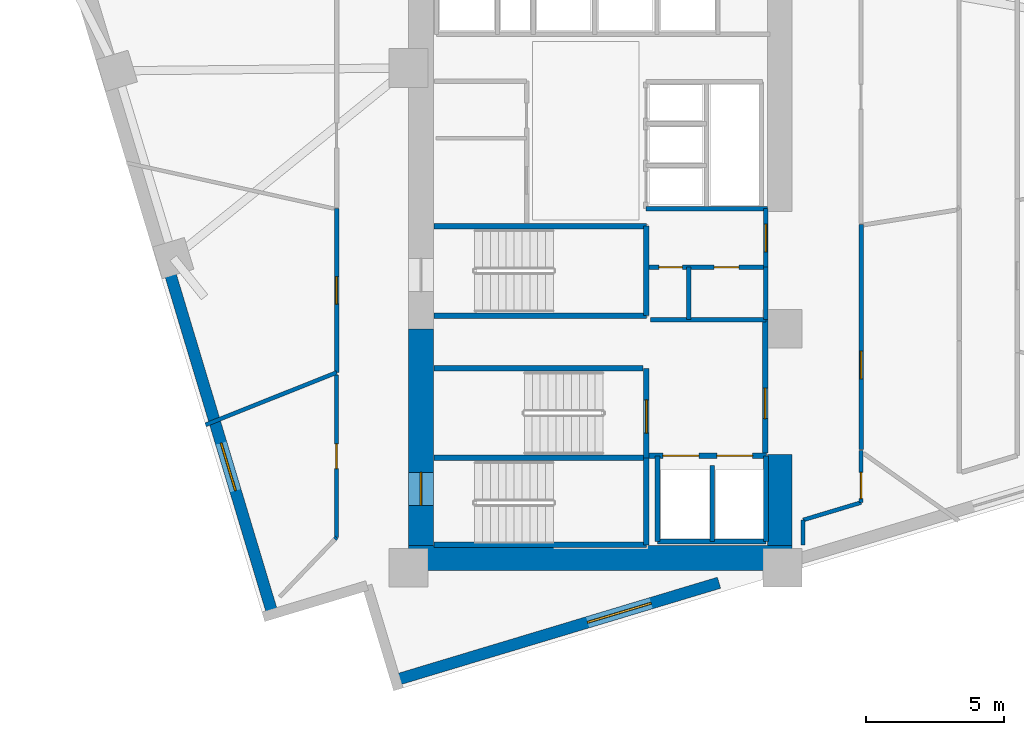
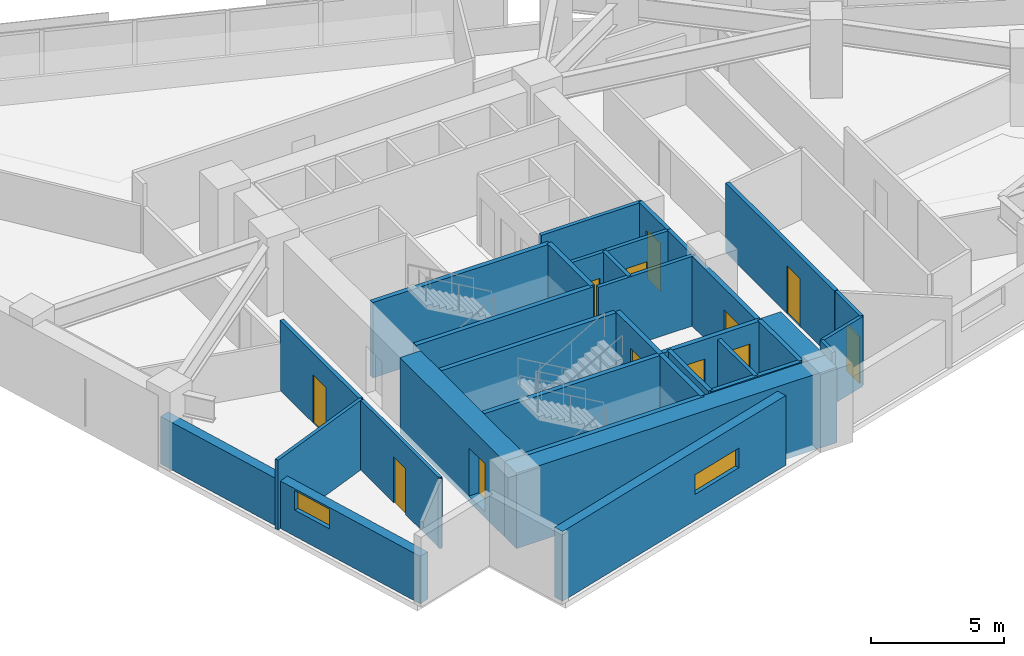
# One storey, part 9 of 14: 33 walls, 12 doors, 2 windows, 14 openings.
"""IFC4 building model written with IfcOpenShell, lengths in metres."""

from ifc_helpers import new_model, si_unit, direction, frame, frame_2d, origin, place, context, subcontext, project, spatial, rectangle, extrude, material, layer, layer_set, type_object, element, fill, save


model = new_model("IFC4")

# Units and contexts
model_context = context("Model", 3, precision=1e-05, world=origin(), true_north=direction((0.0, 1.0)))
body_context = subcontext(model_context, "Body", "Model", "MODEL_VIEW")
ifc_project = project(units=[si_unit("LENGTHUNIT", "METRE"), si_unit("AREAUNIT", "SQUARE_METRE"), si_unit("VOLUMEUNIT", "CUBIC_METRE"), si_unit("PLANEANGLEUNIT", "RADIAN"), si_unit("MASSUNIT", "GRAM", prefix="KILO")], contexts=[model_context])

# Site, building, storey
site_placement = place(None, origin())
site = spatial("IfcSite", under=ifc_project, at=site_placement, CompositionType="ELEMENT")
building_placement = place(site_placement, origin())
building = spatial("IfcBuilding", under=site, at=building_placement, Name="Narakoshi Arena Tower", CompositionType="ELEMENT")
storey_placement = place(building_placement, frame((0.0, 0.0, 161.10009765625)))
storey = spatial("IfcBuildingStorey", under=building, at=storey_placement, Name="L43", CompositionType="ELEMENT", Elevation=161.10009765625)

# Wall, opening, door
ifc_material_1 = material(Name="Concrete C60/75", Category="concrete")
ifc_layer_1 = layer(ifc_material_1, 0.89990234375)
ifc_layer_set_1 = layer_set([ifc_layer_1], Name="Concrete C60/75")
wall_type_1 = type_object("IfcWallType", Name="WL-CORE-900", PredefinedType="SHEAR", material=ifc_layer_set_1)
wall_1_placement = place(storey_placement, frame((72.449951171875, 35.5, -0.260009765625), z_axis=(0.0, 0.0, 1.0), x_axis=(0.0, 1.0, 0.0)))
wall_1 = element("IfcWall", 1, at=wall_1_placement, inside=storey, type_object=wall_type_1, Name="L43 Central Core Shear Wall CW-APX-W", PredefinedType="SHEAR", context=body_context, shape_type="SweptSolid", body=[
    extrude(rectangle(XDim=7.85009765625, YDim=0.89990234375, at=frame_2d((3.925048828125, 0.0))), origin(), (0.0, 0.0, 1.0), 3.4599609375),
])
opening_1_placement = place(wall_1_placement, frame((1.449951171875, 0.0, 0.260009765625)))
opening_1 = element("IfcOpeningElement", 2, at=opening_1_placement, cuts=wall_1, Name="Opening D-03", PredefinedType="OPENING", context=body_context, shape_type="SweptSolid", body=[
    extrude(rectangle(XDim=1.199951171875, YDim=2.199951171875, at=frame_2d((0.60009765625, 1.10009765625))), frame((0.0, 0.4599609375, 0.0), z_axis=(0.0, -1.0, 0.0), x_axis=(1.0, 0.0, 0.0)), (0.0, 0.0, 1.0), 0.919921875),
])
ifc_material_2 = material(Name="Painted galvanized steel", Category="steel")
door_type_1 = type_object("IfcDoorType", Name="DR-STR-1200", OperationType="NOTDEFINED", PredefinedType="USERDEFINED", material=ifc_material_2)
door_1_placement = place(opening_1_placement, frame((1.199951171875, 0.0, 0.0), z_axis=(0.0, 0.0, 1.0), x_axis=(-1.0, 0.0, 0.0)))
door_1 = element("IfcDoor", 3, at=door_1_placement, inside=storey, type_object=door_type_1, Name="DR-L43-001", ObjectType="EXITDOOR", OperationType="SINGLE_SWING_LEFT", OverallHeight=2.199951171875, OverallWidth=1.199951171875, PredefinedType="USERDEFINED", context=body_context, shape_type="SweptSolid", body=[
    extrude(rectangle(XDim=1.199951171875, YDim=2.199951171875, at=frame_2d((0.60009765625, 1.10009765625))), frame((0.0, 0.02490234375, 0.0), z_axis=(0.0, -1.0, 0.0), x_axis=(1.0, 0.0, 0.0)), (0.0, 0.0, 1.0), 0.050048828125),
])
fill(opening_1, door_1)

# Walls
wall_2_placement = place(storey_placement, frame((72.0, 35.050048828125, -0.260009765625), z_axis=(0.0, 0.0, 1.0), x_axis=(1.0, 0.0, 0.0)))
element("IfcWall", 4, at=wall_2_placement, inside=storey, type_object=wall_type_1, Name="L43 Central Core Shear Wall CW-APX-S", PredefinedType="SHEAR", context=body_context, shape_type="SweptSolid", body=[
    extrude(rectangle(XDim=13.89990234375, YDim=0.89990234375, at=frame_2d((6.949951171875, 0.0))), origin(), (0.0, 0.0, 1.0), 3.4599609375),
])
wall_3_placement = place(storey_placement, frame((85.449951171875, 35.5, -0.260009765625), z_axis=(0.0, 0.0, 1.0), x_axis=(0.0, 1.0, 0.0)))
element("IfcWall", 5, at=wall_3_placement, inside=storey, type_object=wall_type_1, Name="L43 Central Core Shear Wall CW-APX-E", PredefinedType="SHEAR", context=body_context, shape_type="SweptSolid", body=[
    extrude(rectangle(XDim=3.300048828125, YDim=0.89990234375, at=frame_2d((1.64990234375, 0.0))), origin(), (0.0, 0.0, 1.0), 3.4599609375),
])

# Wall, opening, door
ifc_material_3 = material(Name="Gypsum plasterboard fire-rated partition")
ifc_layer_2 = layer(ifc_material_3, 0.1650390625)
ifc_layer_set_2 = layer_set([ifc_layer_2], Name="Gypsum plasterboard fire-rated partition")
wall_type_2 = type_object("IfcWallType", Name="WL-CORR-165", PredefinedType="PARTITIONING", material=ifc_layer_set_2)
wall_4_placement = place(storey_placement, frame((84.949951171875, 45.580078125, 0.0), z_axis=(0.0, 0.0, 1.0), x_axis=(0.0, 1.0, 0.0)))
wall_4 = element("IfcWall", 6, at=wall_4_placement, inside=storey, type_object=wall_type_2, Name="L43 Core Wall CPAS-E", PredefinedType="PARTITIONING", context=body_context, shape_type="SweptSolid", body=[
    extrude(rectangle(XDim=2.119873046875, YDim=0.1650390625, at=frame_2d((1.06005859375, 0.0))), origin(), (0.0, 0.0, 1.0), 3.199951171875),
])
opening_2_placement = place(wall_4_placement, frame((0.56005859375, 0.0, 0.0)))
opening_2 = element("IfcOpeningElement", 7, at=opening_2_placement, cuts=wall_4, Name="Opening D-06", PredefinedType="OPENING", context=body_context, shape_type="SweptSolid", body=[
    extrude(rectangle(XDim=1.0, YDim=2.199951171875, at=frame_2d((0.5, 1.10009765625))), frame((0.0, 0.092529296875, 0.0), z_axis=(0.0, -1.0, 0.0), x_axis=(1.0, 0.0, 0.0)), (0.0, 0.0, 1.0), 0.18505859375),
])
ifc_material_4 = material(Name="Stained oak solid-core timber", Category="wood")
door_type_2 = type_object("IfcDoorType", Name="DR-OFF-1000", OperationType="NOTDEFINED", PredefinedType="DOOR", material=ifc_material_4)
door_2_placement = place(opening_2_placement, frame((1.0, 0.0, 0.0), z_axis=(0.0, 0.0, 1.0), x_axis=(-1.0, 0.0, 0.0)))
door_2 = element("IfcDoor", 8, at=door_2_placement, inside=storey, type_object=door_type_2, Name="DR-L43-007", OperationType="SINGLE_SWING_LEFT", OverallHeight=2.199951171875, OverallWidth=1.0, PredefinedType="DOOR", context=body_context, shape_type="SweptSolid", body=[
    extrude(rectangle(XDim=1.0, YDim=2.199951171875, at=frame_2d((0.5, 1.10009765625))), frame((0.0, 0.02490234375, 0.0), z_axis=(0.0, -1.0, 0.0), x_axis=(1.0, 0.0, 0.0)), (0.0, 0.0, 1.0), 0.050048828125),
])
fill(opening_2, door_2)

wall_5_placement = place(storey_placement, frame((69.39990234375, 47.71728515625, 0.0), z_axis=(0.0, 0.0, 1.0), x_axis=(0.0, -1.0, 0.0)))
wall_5 = element("IfcWall", 9, at=wall_5_placement, inside=storey, type_object=wall_type_2, Name="L43 Corridor Partition 01-1", PredefinedType="PARTITIONING", context=body_context, shape_type="SweptSolid", body=[
    extrude(rectangle(XDim=5.94921875, YDim=0.1650390625, at=frame_2d((2.974609375, 0.0))), origin(), (0.0, 0.0, 1.0), 3.199951171875),
])
opening_3_placement = place(wall_5_placement, frame((2.474609375, 0.0, 0.0)))
opening_3 = element("IfcOpeningElement", 10, at=opening_3_placement, cuts=wall_5, Name="Opening D-06", PredefinedType="OPENING", context=body_context, shape_type="SweptSolid", body=[
    extrude(rectangle(XDim=1.0, YDim=2.199951171875, at=frame_2d((0.5, 1.10009765625))), frame((0.0, 0.092529296875, 0.0), z_axis=(0.0, -1.0, 0.0), x_axis=(1.0, 0.0, 0.0)), (0.0, 0.0, 1.0), 0.18505859375),
])
door_3_placement = place(opening_3_placement, frame((1.0, 0.0, 0.0), z_axis=(0.0, 0.0, 1.0), x_axis=(-1.0, 0.0, 0.0)))
door_3 = element("IfcDoor", 11, at=door_3_placement, inside=storey, type_object=door_type_2, Name="DR-L43-015", OperationType="SINGLE_SWING_LEFT", OverallHeight=2.199951171875, OverallWidth=1.0, PredefinedType="DOOR", context=body_context, shape_type="SweptSolid", body=[
    extrude(rectangle(XDim=1.0, YDim=2.199951171875, at=frame_2d((0.5, 1.10009765625))), frame((0.0, 0.02490234375, 0.0), z_axis=(0.0, -1.0, 0.0), x_axis=(1.0, 0.0, 0.0)), (0.0, 0.0, 1.0), 0.050048828125),
])
fill(opening_3, door_3)

wall_6_placement = place(storey_placement, frame((88.39990234375, 38.972412109375, 0.0), z_axis=(0.0, 0.0, 1.0), x_axis=(0.0, 1.0, 0.0)))
wall_6 = element("IfcWall", 12, at=wall_6_placement, inside=storey, type_object=wall_type_2, Name="L43 Corridor Partition 05-1", PredefinedType="PARTITIONING", context=body_context, shape_type="SweptSolid", body=[
    extrude(rectangle(XDim=8.16162109375, YDim=0.1650390625, at=frame_2d((4.080810546875, 0.0))), origin(), (0.0, 0.0, 1.0), 3.199951171875),
])
opening_4_placement = place(wall_6_placement, frame((2.566650390625, 0.0, 0.0)))
opening_4 = element("IfcOpeningElement", 13, at=opening_4_placement, cuts=wall_6, Name="Opening D-06", PredefinedType="OPENING", context=body_context, shape_type="SweptSolid", body=[
    extrude(rectangle(XDim=1.0, YDim=2.199951171875, at=frame_2d((0.5, 1.10009765625))), frame((0.0, 0.092529296875, 0.0), z_axis=(0.0, -1.0, 0.0), x_axis=(1.0, 0.0, 0.0)), (0.0, 0.0, 1.0), 0.18505859375),
])
door_4_placement = place(opening_4_placement, frame((1.0, 0.0, 0.0), z_axis=(0.0, 0.0, 1.0), x_axis=(-1.0, 0.0, 0.0)))
door_4 = element("IfcDoor", 14, at=door_4_placement, inside=storey, type_object=door_type_2, Name="DR-L43-019", OperationType="SINGLE_SWING_LEFT", OverallHeight=2.199951171875, OverallWidth=1.0, PredefinedType="DOOR", context=body_context, shape_type="SweptSolid", body=[
    extrude(rectangle(XDim=1.0, YDim=2.199951171875, at=frame_2d((0.5, 1.10009765625))), frame((0.0, 0.02490234375, 0.0), z_axis=(0.0, -1.0, 0.0), x_axis=(1.0, 0.0, 0.0)), (0.0, 0.0, 1.0), 0.050048828125),
])
fill(opening_4, door_4)

# Wall, opening, window
ifc_material_5 = material(Name="Precast concrete C45/55", Category="concrete")
ifc_layer_3 = layer(ifc_material_5, 0.419921875)
ifc_layer_set_3 = layer_set([ifc_layer_3], Name="Precast concrete C45/55")
wall_type_3 = type_object("IfcWallType", Name="WL-POD-420", PredefinedType="SOLIDWALL", material=ifc_layer_set_3)
wall_7_placement = place(storey_placement, frame((71.53466796875, 30.62353515625, 0.0), z_axis=(0.0, 0.0, 1.0), x_axis=(0.957571099539, 0.288197136226, 0.0)))
wall_7 = element("IfcWall", 15, at=wall_7_placement, inside=storey, type_object=wall_type_3, Name="L43 Architectural Concrete Facade Wall LEGA-1", PredefinedType="SOLIDWALL", context=body_context, shape_type="SweptSolid", body=[
    extrude(rectangle(XDim=12.23583984375, YDim=0.419921875, at=frame_2d((6.117919921875, 0.0))), origin(), (0.0, 0.0, 1.0), 3.199951171875),
])
opening_5_placement = place(wall_7_placement, frame((7.263916015625, 0.0, 1.199951171875)))
opening_5 = element("IfcOpeningElement", 16, at=opening_5_placement, cuts=wall_7, Name="Opening WN-01", PredefinedType="OPENING", context=body_context, shape_type="SweptSolid", body=[
    extrude(rectangle(XDim=2.39990234375, YDim=0.89990234375, at=frame_2d((1.199951171875, 0.449951171875))), frame((0.0, 0.219970703125, 0.0), z_axis=(0.0, -1.0, 0.0), x_axis=(1.0, 0.0, 0.0)), (0.0, 0.0, 1.0), 0.43994140625),
])
ifc_material_6 = material(Name="Bronze-tinted low-E laminated glass", Category="glass")
window_type_1 = type_object("IfcWindowType", Name="WIN-SLT-24x09", PartitioningType="SINGLE_PANEL", PredefinedType="WINDOW", material=ifc_material_6)
window_1_placement = place(opening_5_placement, origin())
window_1 = element("IfcWindow", 17, at=window_1_placement, inside=storey, type_object=window_type_1, Name="L43 LEGA1 Horizontal Slot Window 1", OverallHeight=0.89990234375, OverallWidth=2.39990234375, PartitioningType="SINGLE_PANEL", PredefinedType="WINDOW", context=body_context, shape_type="SweptSolid", body=[
    extrude(rectangle(XDim=2.39990234375, YDim=0.89990234375, at=frame_2d((1.199951171875, 0.449951171875))), frame((0.0, 0.030029296875, 0.0), z_axis=(0.0, -1.0, 0.0), x_axis=(1.0, 0.0, 0.0)), (0.0, 0.0, 1.0), 0.06005859375),
])
fill(opening_5, window_1)

wall_8_placement = place(storey_placement, frame((63.221435546875, 45.833740234375, 0.0), z_axis=(0.0, 0.0, 1.0), x_axis=(0.288202962273, -0.957569346072, 0.0)))
wall_8 = element("IfcWall", 18, at=wall_8_placement, inside=storey, type_object=wall_type_3, Name="L43 Architectural Concrete Facade Wall LEGB-3", PredefinedType="SOLIDWALL", context=body_context, shape_type="SweptSolid", body=[
    extrude(rectangle(XDim=13.383544921875, YDim=0.419921875, at=frame_2d((6.69189453125, 0.0))), origin(), (0.0, 0.0, 1.0), 2.177001953125),
])
opening_6_placement = place(wall_8_placement, frame((6.91650390625, 0.0, 1.197021484375)))
opening_6 = element("IfcOpeningElement", 19, at=opening_6_placement, cuts=wall_8, Name="Opening WN-02", PredefinedType="OPENING", context=body_context, shape_type="SweptSolid", body=[
    extrude(rectangle(XDim=1.800048828125, YDim=0.89990234375, at=frame_2d((0.89990234375, 0.449951171875))), frame((0.0, 0.219970703125, 0.0), z_axis=(0.0, -1.0, 0.0), x_axis=(1.0, 0.0, 0.0)), (0.0, 0.0, 1.0), 0.43994140625),
])
window_type_2 = type_object("IfcWindowType", Name="WIN-SLT-18x09", PartitioningType="SINGLE_PANEL", PredefinedType="WINDOW", material=ifc_material_6)
window_2_placement = place(opening_6_placement, origin())
window_2 = element("IfcWindow", 20, at=window_2_placement, inside=storey, type_object=window_type_2, Name="L43 LEGB3 Horizontal Slot Window 1", OverallHeight=0.89990234375, OverallWidth=1.800048828125, PartitioningType="SINGLE_PANEL", PredefinedType="WINDOW", context=body_context, shape_type="SweptSolid", body=[
    extrude(rectangle(XDim=1.800048828125, YDim=0.89990234375, at=frame_2d((0.89990234375, 0.449951171875))), frame((0.0, 0.030029296875, 0.0), z_axis=(0.0, -1.0, 0.0), x_axis=(1.0, 0.0, 0.0)), (0.0, 0.0, 1.0), 0.06005859375),
])
fill(opening_6, window_2)

# Walls
ifc_material_7 = material(Name="Concrete C40/50", Category="concrete")
ifc_layer_4 = layer(ifc_material_7, 0.280029296875)
ifc_layer_set_4 = layer_set([ifc_layer_4], Name="Concrete C40/50")
wall_type_4 = type_object("IfcWallType", Name="WL-RISER-280", PredefinedType="PLUMBINGWALL", material=ifc_layer_set_4)
wall_9_placement = place(storey_placement, frame((83.0, 35.64990234375, 0.0), z_axis=(0.0, 0.0, 1.0), x_axis=(0.0, 1.0, 0.0)))
element("IfcWall", 21, at=wall_9_placement, inside=storey, type_object=wall_type_4, Name="L43 Core Wall FF-DIV", PredefinedType="PLUMBINGWALL", context=body_context, shape_type="SweptSolid", body=[
    extrude(rectangle(XDim=2.75, YDim=0.159912109375, at=frame_2d((1.375, 0.0))), origin(), (0.0, 0.0, 1.0), 3.199951171875),
])
wall_10_placement = place(storey_placement, frame((84.949951171875, 43.679931640625, 0.0), z_axis=(0.0, 0.0, 1.0), x_axis=(0.0, 1.0, 0.0)))
element("IfcWall", 22, at=wall_10_placement, inside=storey, type_object=wall_type_4, Name="L43 Core Wall RSR-E", PredefinedType="PLUMBINGWALL", context=body_context, shape_type="SweptSolid", body=[
    extrude(rectangle(XDim=1.900146484375, YDim=0.1650390625, at=frame_2d((0.9501953125, 0.0))), origin(), (0.0, 0.0, 1.0), 3.199951171875),
])

# Wall, openings, doors
wall_11_placement = place(storey_placement, frame((80.719970703125, 45.580078125, 0.0), z_axis=(0.0, 0.0, 1.0), x_axis=(1.0, 0.0, 0.0)))
wall_11 = element("IfcWall", 23, at=wall_11_placement, inside=storey, type_object=wall_type_4, Name="L43 Core Wall RSR-N", PredefinedType="PLUMBINGWALL", context=body_context, shape_type="SweptSolid", body=[
    extrude(rectangle(XDim=4.22998046875, YDim=0.159912109375, at=frame_2d((2.114990234375, 0.0))), origin(), (0.0, 0.0, 1.0), 3.199951171875),
])
opening_7_placement = place(wall_11_placement, frame((0.35009765625, 0.0, 0.0)))
opening_7 = element("IfcOpeningElement", 24, at=opening_7_placement, cuts=wall_11, Name="Opening D-10", PredefinedType="OPENING", context=body_context, shape_type="SweptSolid", body=[
    extrude(rectangle(XDim=0.85009765625, YDim=2.050048828125, at=frame_2d((0.425048828125, 1.02490234375))), frame((0.0, 0.08984375, 0.0), z_axis=(0.0, -1.0, 0.0), x_axis=(1.0, 0.0, 0.0)), (0.0, 0.0, 1.0), 0.179931640625),
])
opening_8_placement = place(wall_11_placement, frame((2.35009765625, 0.0, 0.0)))
opening_8 = element("IfcOpeningElement", 25, at=opening_8_placement, cuts=wall_11, Name="Opening D-08", PredefinedType="OPENING", context=body_context, shape_type="SweptSolid", body=[
    extrude(rectangle(XDim=0.89990234375, YDim=2.10009765625, at=frame_2d((0.449951171875, 1.050048828125))), frame((0.0, 0.08984375, 0.0), z_axis=(0.0, -1.0, 0.0), x_axis=(1.0, 0.0, 0.0)), (0.0, 0.0, 1.0), 0.179931640625),
])
door_type_3 = type_object("IfcDoorType", Name="DR-RSR-850", OperationType="NOTDEFINED", PredefinedType="DOOR", material=ifc_material_2)
door_5_placement = place(opening_7_placement, frame((0.85009765625, 0.0, 0.0), z_axis=(0.0, 0.0, 1.0), x_axis=(-1.0, 0.0, 0.0)))
door_5 = element("IfcDoor", 26, at=door_5_placement, inside=storey, type_object=door_type_3, Name="DR-L43-008", OperationType="SINGLE_SWING_LEFT", OverallHeight=2.050048828125, OverallWidth=0.85009765625, PredefinedType="DOOR", context=body_context, shape_type="SweptSolid", body=[
    extrude(rectangle(XDim=0.85009765625, YDim=2.050048828125, at=frame_2d((0.425048828125, 1.02490234375))), frame((0.0, 0.02490234375, 0.0), z_axis=(0.0, -1.0, 0.0), x_axis=(1.0, 0.0, 0.0)), (0.0, 0.0, 1.0), 0.050048828125),
])
fill(opening_7, door_5)
ifc_material_8 = material(Name="Moisture-resistant laminate timber", Category="wood")
door_type_4 = type_object("IfcDoorType", Name="DR-WC-900", OperationType="NOTDEFINED", PredefinedType="DOOR", material=ifc_material_8)
door_6_placement = place(opening_8_placement, frame((0.89990234375, 0.0, 0.0), z_axis=(0.0, 0.0, 1.0), x_axis=(-1.0, 0.0, 0.0)))
door_6 = element("IfcDoor", 27, at=door_6_placement, inside=storey, type_object=door_type_4, Name="DR-L43-009", OperationType="SINGLE_SWING_RIGHT", OverallHeight=2.10009765625, OverallWidth=0.89990234375, PredefinedType="DOOR", context=body_context, shape_type="SweptSolid", body=[
    extrude(rectangle(XDim=0.89990234375, YDim=2.10009765625, at=frame_2d((0.449951171875, 1.050048828125))), frame((0.0, 0.02490234375, 0.0), z_axis=(0.0, -1.0, 0.0), x_axis=(1.0, 0.0, 0.0)), (0.0, 0.0, 1.0), 0.050048828125),
])
fill(opening_8, door_6)

# Walls
wall_12_placement = place(storey_placement, frame((80.760009765625, 43.679931640625, 0.0), z_axis=(0.0, 0.0, 1.0), x_axis=(1.0, 0.0, 0.0)))
element("IfcWall", 28, at=wall_12_placement, inside=storey, type_object=wall_type_4, Name="L43 Core Wall RSR-S", PredefinedType="PLUMBINGWALL", context=body_context, shape_type="SweptSolid", body=[
    extrude(rectangle(XDim=4.18994140625, YDim=0.159912109375, at=frame_2d((2.094970703125, 0.0))), origin(), (0.0, 0.0, 1.0), 3.199951171875),
])
wall_13_placement = place(storey_placement, frame((82.14990234375, 43.679931640625, 0.0), z_axis=(0.0, 0.0, 1.0), x_axis=(0.0, 1.0, 0.0)))
element("IfcWall", 29, at=wall_13_placement, inside=storey, type_object=wall_type_4, Name="L43 Core Wall RSR-M", PredefinedType="PLUMBINGWALL", context=body_context, shape_type="SweptSolid", body=[
    extrude(rectangle(XDim=1.900146484375, YDim=0.159912109375, at=frame_2d((0.9501953125, 0.0))), origin(), (0.0, 0.0, 1.0), 3.199951171875),
])
ifc_material_9 = material(Name="Concrete C50/60", Category="concrete")
ifc_layer_5 = layer(ifc_material_9, 0.35009765625)
ifc_layer_set_5 = layer_set([ifc_layer_5], Name="Concrete C50/60")
wall_type_5 = type_object("IfcWallType", Name="WL-SHAFT-350", PredefinedType="SOLIDWALL", material=ifc_layer_set_5)
for number, where, z_axis, x_axis, name in (
    (30, (72.919921875, 35.52001953125, -0.260009765625), (0.0, 0.0, 1.0), (1.0, 0.0, 0.0), "L43 Core Wall ST1-S"),
    (31, (72.919921875, 38.675048828125, -0.260009765625), (0.0, 0.0, 1.0), (1.0, 0.0, 0.0), "L43 Core Wall ST12-DIV"),
):
    element("IfcWall", number, at=place(storey_placement, frame(where, z_axis=z_axis, x_axis=x_axis)), inside=storey, type_object=wall_type_5, Name=name, PredefinedType="SOLIDWALL", context=body_context, shape_type="SweptSolid", body=[
        extrude(rectangle(XDim=7.7001953125, YDim=0.199951171875, at=frame_2d((3.85009765625, 0.0))), origin(), (0.0, 0.0, 1.0), 3.4599609375),
    ])
wall_14_placement = place(storey_placement, frame((80.6201171875, 35.52001953125, -0.260009765625), z_axis=(0.0, 0.0, 1.0), x_axis=(0.0, 1.0, 0.0)))
element("IfcWall", 32, at=wall_14_placement, inside=storey, type_object=wall_type_5, Name="L43 Core Wall ST1-E", PredefinedType="SOLIDWALL", context=body_context, shape_type="SweptSolid", body=[
    extrude(rectangle(XDim=3.155029296875, YDim=0.199951171875, at=frame_2d((1.57763671875, 0.0))), origin(), (0.0, 0.0, 1.0), 3.4599609375),
])

# Wall, opening, door
wall_15_placement = place(storey_placement, frame((80.6201171875, 38.675048828125, -0.260009765625), z_axis=(0.0, 0.0, 1.0), x_axis=(0.0, 1.0, 0.0)))
wall_15 = element("IfcWall", 33, at=wall_15_placement, inside=storey, type_object=wall_type_5, Name="L43 Core Wall ST2-E", PredefinedType="SOLIDWALL", context=body_context, shape_type="SweptSolid", body=[
    extrude(rectangle(XDim=3.244873046875, YDim=0.199951171875, at=frame_2d((1.62255859375, 0.0))), origin(), (0.0, 0.0, 1.0), 3.4599609375),
])
opening_9_placement = place(wall_15_placement, frame((0.89990234375, 0.0, 0.260009765625)))
opening_9 = element("IfcOpeningElement", 34, at=opening_9_placement, cuts=wall_15, Name="Opening D-03", PredefinedType="OPENING", context=body_context, shape_type="SweptSolid", body=[
    extrude(rectangle(XDim=1.199951171875, YDim=2.199951171875, at=frame_2d((0.60009765625, 1.10009765625))), frame((0.0, 0.10986328125, 0.0), z_axis=(0.0, -1.0, 0.0), x_axis=(1.0, 0.0, 0.0)), (0.0, 0.0, 1.0), 0.219970703125),
])
door_7_placement = place(opening_9_placement, origin())
door_7 = element("IfcDoor", 35, at=door_7_placement, inside=storey, type_object=door_type_1, Name="DR-L43-002", ObjectType="EXITDOOR", OperationType="SINGLE_SWING_RIGHT", OverallHeight=2.199951171875, OverallWidth=1.199951171875, PredefinedType="USERDEFINED", context=body_context, shape_type="SweptSolid", body=[
    extrude(rectangle(XDim=1.199951171875, YDim=2.199951171875, at=frame_2d((0.60009765625, 1.10009765625))), frame((0.0, 0.02490234375, 0.0), z_axis=(0.0, -1.0, 0.0), x_axis=(1.0, 0.0, 0.0)), (0.0, 0.0, 1.0), 0.050048828125),
])
fill(opening_9, door_7)

# Wall, openings, doors
wall_16_placement = place(storey_placement, frame((80.719970703125, 38.75, 0.0), z_axis=(0.0, 0.0, 1.0), x_axis=(1.0, 0.0, 0.0)))
wall_16 = element("IfcWall", 36, at=wall_16_placement, inside=storey, type_object=wall_type_5, Name="L43 Core Wall FF-N", PredefinedType="SOLIDWALL", context=body_context, shape_type="SweptSolid", body=[
    extrude(rectangle(XDim=4.260009765625, YDim=0.199951171875, at=frame_2d((2.1298828125, 0.0))), origin(), (0.0, 0.0, 1.0), 3.199951171875),
])
opening_10_placement = place(wall_16_placement, frame((0.5, 0.0, 0.0)))
opening_10 = element("IfcOpeningElement", 37, at=opening_10_placement, cuts=wall_16, Name="Opening LD-02", PredefinedType="OPENING", context=body_context, shape_type="SweptSolid", body=[
    extrude(rectangle(XDim=1.300048828125, YDim=2.300048828125, at=frame_2d((0.64990234375, 1.14990234375))), frame((0.0, 0.10986328125, 0.0), z_axis=(0.0, -1.0, 0.0), x_axis=(1.0, 0.0, 0.0)), (0.0, 0.0, 1.0), 0.219970703125),
])
opening_11_placement = place(wall_16_placement, frame((2.449951171875, 0.0, 0.0)))
opening_11 = element("IfcOpeningElement", 38, at=opening_11_placement, cuts=wall_16, Name="Opening LD-02", PredefinedType="OPENING", context=body_context, shape_type="SweptSolid", body=[
    extrude(rectangle(XDim=1.300048828125, YDim=2.300048828125, at=frame_2d((0.64990234375, 1.14990234375))), frame((0.0, 0.10986328125, 0.0), z_axis=(0.0, -1.0, 0.0), x_axis=(1.0, 0.0, 0.0)), (0.0, 0.0, 1.0), 0.219970703125),
])
ifc_material_10 = material(Name="Brushed bronze stainless steel", Category="steel")
door_type_5 = type_object("IfcDoorType", Name="DR-LFT-1300", OperationType="DOUBLE_DOOR_SLIDING", PredefinedType="DOOR", material=ifc_material_10)
door_8_placement = place(opening_10_placement, origin())
door_8 = element("IfcDoor", 39, at=door_8_placement, inside=storey, type_object=door_type_5, Name="DR-L43-003", OperationType="DOUBLE_DOOR_SLIDING", OverallHeight=2.300048828125, OverallWidth=1.300048828125, PredefinedType="DOOR", context=body_context, shape_type="SweptSolid", body=[
    extrude(rectangle(XDim=1.300048828125, YDim=2.300048828125, at=frame_2d((0.64990234375, 1.14990234375))), frame((0.0, 0.02490234375, 0.0), z_axis=(0.0, -1.0, 0.0), x_axis=(1.0, 0.0, 0.0)), (0.0, 0.0, 1.0), 0.050048828125),
])
fill(opening_10, door_8)
door_9_placement = place(opening_11_placement, origin())
door_9 = element("IfcDoor", 40, at=door_9_placement, inside=storey, type_object=door_type_5, Name="DR-L43-004", OperationType="DOUBLE_DOOR_SLIDING", OverallHeight=2.300048828125, OverallWidth=1.300048828125, PredefinedType="DOOR", context=body_context, shape_type="SweptSolid", body=[
    extrude(rectangle(XDim=1.300048828125, YDim=2.300048828125, at=frame_2d((0.64990234375, 1.14990234375))), frame((0.0, 0.02490234375, 0.0), z_axis=(0.0, -1.0, 0.0), x_axis=(1.0, 0.0, 0.0)), (0.0, 0.0, 1.0), 0.050048828125),
])
fill(opening_11, door_9)

# Walls
for number, where, z_axis, x_axis, name in (
    (41, (84.949951171875, 35.64990234375, 0.0), (0.0, 0.0, 1.0), (0.0, 1.0, 0.0), "L43 Core Wall FF-E"),
    (42, (81.02001953125, 35.64990234375, 0.0), (0.0, 0.0, 1.0), (0.0, 1.0, 0.0), "L43 Core Wall FF-W"),
):
    element("IfcWall", number, at=place(storey_placement, frame(where, z_axis=z_axis, x_axis=x_axis)), inside=storey, type_object=wall_type_5, Name=name, PredefinedType="SOLIDWALL", context=body_context, shape_type="SweptSolid", body=[
        extrude(rectangle(XDim=3.10009765625, YDim=0.179931640625, at=frame_2d((1.550048828125, 0.0))), origin(), (0.0, 0.0, 1.0), 3.199951171875),
    ])
wall_17_placement = place(storey_placement, frame((81.02001953125, 35.64990234375, 0.0), z_axis=(0.0, 0.0, 1.0), x_axis=(1.0, 0.0, 0.0)))
element("IfcWall", 43, at=wall_17_placement, inside=storey, type_object=wall_type_5, Name="L43 Core Wall FF-S", PredefinedType="SOLIDWALL", context=body_context, shape_type="SweptSolid", body=[
    extrude(rectangle(XDim=3.929931640625, YDim=0.179931640625, at=frame_2d((1.96484375, 0.0))), origin(), (0.0, 0.0, 1.0), 3.199951171875),
])

# Wall, opening, door
wall_18_placement = place(storey_placement, frame((84.919921875, 38.85009765625, 0.0), z_axis=(0.0, 0.0, 1.0), x_axis=(0.0, 1.0, 0.0)))
wall_18 = element("IfcWall", 44, at=wall_18_placement, inside=storey, type_object=wall_type_5, Name="L43 Core Wall FFLOB-E", PredefinedType="SOLIDWALL", context=body_context, shape_type="SweptSolid", body=[
    extrude(rectangle(XDim=4.829833984375, YDim=0.199951171875, at=frame_2d((2.4150390625, 0.0))), origin(), (0.0, 0.0, 1.0), 3.199951171875),
])
opening_12_placement = place(wall_18_placement, frame((1.25, 0.0, 0.0)))
opening_12 = element("IfcOpeningElement", 45, at=opening_12_placement, cuts=wall_18, Name="Opening D-04", PredefinedType="OPENING", context=body_context, shape_type="SweptSolid", body=[
    extrude(rectangle(XDim=1.10009765625, YDim=2.199951171875, at=frame_2d((0.550048828125, 1.10009765625))), frame((0.0, 0.10986328125, 0.0), z_axis=(0.0, -1.0, 0.0), x_axis=(1.0, 0.0, 0.0)), (0.0, 0.0, 1.0), 0.219970703125),
])
door_type_6 = type_object("IfcDoorType", Name="DR-FFL-1100", OperationType="NOTDEFINED", PredefinedType="DOOR", material=ifc_material_2)
door_10_placement = place(opening_12_placement, frame((1.10009765625, 0.0, 0.0), z_axis=(0.0, 0.0, 1.0), x_axis=(-1.0, 0.0, 0.0)))
door_10 = element("IfcDoor", 46, at=door_10_placement, inside=storey, type_object=door_type_6, Name="DR-L43-005", OperationType="SINGLE_SWING_RIGHT", OverallHeight=2.199951171875, OverallWidth=1.10009765625, PredefinedType="DOOR", context=body_context, shape_type="SweptSolid", body=[
    extrude(rectangle(XDim=1.10009765625, YDim=2.199951171875, at=frame_2d((0.550048828125, 1.10009765625))), frame((0.0, 0.02490234375, 0.0), z_axis=(0.0, -1.0, 0.0), x_axis=(1.0, 0.0, 0.0)), (0.0, 0.0, 1.0), 0.050048828125),
])
fill(opening_12, door_10)

# Walls
wall_19_placement = place(storey_placement, frame((72.919921875, 41.919921875, -0.260009765625), z_axis=(0.0, 0.0, 1.0), x_axis=(1.0, 0.0, 0.0)))
element("IfcWall", 47, at=wall_19_placement, inside=storey, type_object=wall_type_5, Name="L43 Core Wall ST2-N", PredefinedType="SOLIDWALL", context=body_context, shape_type="SweptSolid", body=[
    extrude(rectangle(XDim=7.580078125, YDim=0.199951171875, at=frame_2d((3.7900390625, 0.0))), origin(), (0.0, 0.0, 1.0), 3.4599609375),
])
for number, where, z_axis, x_axis, name in (
    (48, (72.919921875, 43.830078125, -0.260009765625), (0.0, 0.0, 1.0), (1.0, 0.0, 0.0), "L43 Core Wall ST3-S"),
    (49, (72.919921875, 47.070068359375, -0.260009765625), (0.0, 0.0, 1.0), (1.0, 0.0, 0.0), "L43 Core Wall ST3-N"),
):
    element("IfcWall", number, at=place(storey_placement, frame(where, z_axis=z_axis, x_axis=x_axis)), inside=storey, type_object=wall_type_5, Name=name, PredefinedType="SOLIDWALL", context=body_context, shape_type="SweptSolid", body=[
        extrude(rectangle(XDim=7.7001953125, YDim=0.199951171875, at=frame_2d((3.85009765625, 0.0))), origin(), (0.0, 0.0, 1.0), 3.4599609375),
    ])
wall_20_placement = place(storey_placement, frame((80.6201171875, 43.830078125, -0.260009765625), z_axis=(0.0, 0.0, 1.0), x_axis=(0.0, 1.0, 0.0)))
element("IfcWall", 50, at=wall_20_placement, inside=storey, type_object=wall_type_5, Name="L43 Core Wall ST3-E", PredefinedType="SOLIDWALL", context=body_context, shape_type="SweptSolid", body=[
    extrude(rectangle(XDim=3.239990234375, YDim=0.199951171875, at=frame_2d((1.6201171875, 0.0))), origin(), (0.0, 0.0, 1.0), 3.4599609375),
])
wall_21_placement = place(storey_placement, frame((80.60009765625, 47.699951171875, 0.0), z_axis=(0.0, 0.0, 1.0), x_axis=(1.0, 0.0, 0.0)))
element("IfcWall", 51, at=wall_21_placement, inside=storey, type_object=wall_type_5, Name="L43 Core Wall MR-S", PredefinedType="SOLIDWALL", context=body_context, shape_type="SweptSolid", body=[
    extrude(rectangle(XDim=4.39990234375, YDim=0.159912109375, at=frame_2d((2.199951171875, 0.0))), origin(), (0.0, 0.0, 1.0), 3.199951171875),
])
ifc_material_11 = material(Name="Moisture-resistant cement-board partition")
ifc_layer_6 = layer(ifc_material_11, 0.14501953125)
ifc_layer_set_6 = layer_set([ifc_layer_6], Name="Moisture-resistant cement-board partition")
wall_type_6 = type_object("IfcWallType", Name="WL-WET-145", PredefinedType="PARTITIONING", material=ifc_layer_set_6)
wall_22_placement = place(storey_placement, frame((69.39990234375, 41.76806640625, 0.0), z_axis=(0.0, 0.0, 1.0), x_axis=(-0.928756274811, -0.370690952141, 0.0)))
element("IfcWall", 52, at=wall_22_placement, inside=storey, type_object=wall_type_6, Name="L43 Inter-Room Partition 01-02", PredefinedType="PARTITIONING", context=body_context, shape_type="SweptSolid", body=[
    extrude(rectangle(XDim=5.114013671875, YDim=0.14501953125, at=frame_2d((2.55712890625, 0.0))), origin(), (0.0, 0.0, 1.0), 3.199951171875),
])

# Wall, opening, door
wall_23_placement = place(storey_placement, frame((69.39990234375, 41.677001953125, 0.0), z_axis=(0.0, 0.0, 1.0), x_axis=(0.0, -1.0, 0.0)))
wall_23 = element("IfcWall", 53, at=wall_23_placement, inside=storey, type_object=wall_type_6, Name="L43 Corridor Partition 02-1", PredefinedType="PARTITIONING", context=body_context, shape_type="SweptSolid", body=[
    extrude(rectangle(XDim=5.8837890625, YDim=0.14501953125, at=frame_2d((2.94189453125, 0.0))), origin(), (0.0, 0.0, 1.0), 3.199951171875),
])
opening_13_placement = place(wall_23_placement, frame((2.491943359375, 0.0, 0.0)))
opening_13 = element("IfcOpeningElement", 54, at=opening_13_placement, cuts=wall_23, Name="Opening D-08", PredefinedType="OPENING", context=body_context, shape_type="SweptSolid", body=[
    extrude(rectangle(XDim=0.89990234375, YDim=2.10009765625, at=frame_2d((0.449951171875, 1.050048828125))), frame((0.0, 0.08251953125, 0.0), z_axis=(0.0, -1.0, 0.0), x_axis=(1.0, 0.0, 0.0)), (0.0, 0.0, 1.0), 0.1650390625),
])
door_11_placement = place(opening_13_placement, frame((0.89990234375, 0.0, 0.0), z_axis=(0.0, 0.0, 1.0), x_axis=(-1.0, 0.0, 0.0)))
door_11 = element("IfcDoor", 55, at=door_11_placement, inside=storey, type_object=door_type_4, Name="DR-L43-016", OperationType="SINGLE_SWING_LEFT", OverallHeight=2.10009765625, OverallWidth=0.89990234375, PredefinedType="DOOR", context=body_context, shape_type="SweptSolid", body=[
    extrude(rectangle(XDim=0.89990234375, YDim=2.10009765625, at=frame_2d((0.449951171875, 1.050048828125))), frame((0.0, 0.02490234375, 0.0), z_axis=(0.0, -1.0, 0.0), x_axis=(1.0, 0.0, 0.0)), (0.0, 0.0, 1.0), 0.050048828125),
])
fill(opening_13, door_11)

# Walls
wall_24_placement = place(storey_placement, frame((69.39990234375, 35.793212890625, 0.0), z_axis=(0.0, 0.0, 1.0), x_axis=(-0.690006716749, -0.7238029641, 0.0)))
element("IfcWall", 56, at=wall_24_placement, inside=storey, type_object=wall_type_6, Name="L43 Corridor Partition 02-2", PredefinedType="PARTITIONING", context=body_context, shape_type="SweptSolid", body=[
    extrude(rectangle(XDim=0.086669921875, YDim=0.14501953125, at=frame_2d((0.04345703125, 0.0))), origin(), (0.0, 0.0, 1.0), 3.199951171875),
])
wall_25_placement = place(storey_placement, frame((86.300048828125, 36.425048828125, 0.0), z_axis=(0.0, 0.0, 1.0), x_axis=(0.957559291079, 0.288236368399, 0.0)))
element("IfcWall", 57, at=wall_25_placement, inside=storey, type_object=wall_type_6, Name="L43 Corridor Partition 03-1", PredefinedType="PARTITIONING", context=body_context, shape_type="SweptSolid", body=[
    extrude(rectangle(XDim=2.19287109375, YDim=0.14501953125, at=frame_2d((1.096435546875, 0.0))), origin(), (0.0, 0.0, 1.0), 3.199951171875),
])

# Wall, opening, door
wall_26_placement = place(storey_placement, frame((88.39990234375, 37.05712890625, 0.0), z_axis=(0.0, 0.0, 1.0), x_axis=(0.0, 1.0, 0.0)))
wall_26 = element("IfcWall", 58, at=wall_26_placement, inside=storey, type_object=wall_type_6, Name="L43 Corridor Partition 03-2", PredefinedType="PARTITIONING", context=body_context, shape_type="SweptSolid", body=[
    extrude(rectangle(XDim=1.88623046875, YDim=0.14501953125, at=frame_2d((0.943115234375, 0.0))), origin(), (0.0, 0.0, 1.0), 3.199951171875),
])
opening_14_placement = place(wall_26_placement, frame((0.1416015625, 0.0, 0.0)))
opening_14 = element("IfcOpeningElement", 59, at=opening_14_placement, cuts=wall_26, Name="Opening D-07", PredefinedType="OPENING", context=body_context, shape_type="SweptSolid", body=[
    extrude(rectangle(XDim=0.949951171875, YDim=2.14990234375, at=frame_2d((0.47509765625, 1.074951171875))), frame((0.0, 0.08251953125, 0.0), z_axis=(0.0, -1.0, 0.0), x_axis=(1.0, 0.0, 0.0)), (0.0, 0.0, 1.0), 0.1650390625),
])
door_type_7 = type_object("IfcDoorType", Name="DR-ACC-950", OperationType="NOTDEFINED", PredefinedType="DOOR", material=ifc_material_4)
door_12_placement = place(opening_14_placement, frame((0.949951171875, 0.0, 0.0), z_axis=(0.0, 0.0, 1.0), x_axis=(-1.0, 0.0, 0.0)))
door_12 = element("IfcDoor", 60, at=door_12_placement, inside=storey, type_object=door_type_7, Name="DR-L43-017", OperationType="SINGLE_SWING_LEFT", OverallHeight=2.14990234375, OverallWidth=0.949951171875, PredefinedType="DOOR", context=body_context, shape_type="SweptSolid", body=[
    extrude(rectangle(XDim=0.949951171875, YDim=2.14990234375, at=frame_2d((0.47509765625, 1.074951171875))), frame((0.0, 0.02490234375, 0.0), z_axis=(0.0, -1.0, 0.0), x_axis=(1.0, 0.0, 0.0)), (0.0, 0.0, 1.0), 0.050048828125),
])
fill(opening_14, door_12)

# Wall
wall_27_placement = place(storey_placement, frame((86.300048828125, 35.5166015625, 0.0), z_axis=(0.0, 0.0, 1.0), x_axis=(0.0, 1.0, 0.0)))
element("IfcWall", 61, at=wall_27_placement, inside=storey, type_object=wall_type_6, Name="L43 Room Enclosure Partition 03-1", PredefinedType="PARTITIONING", context=body_context, shape_type="SweptSolid", body=[
    extrude(rectangle(XDim=0.908447265625, YDim=0.14501953125, at=frame_2d((0.4541015625, 0.0))), origin(), (0.0, 0.0, 1.0), 3.199951171875),
])

save(model, "model.ifc")
